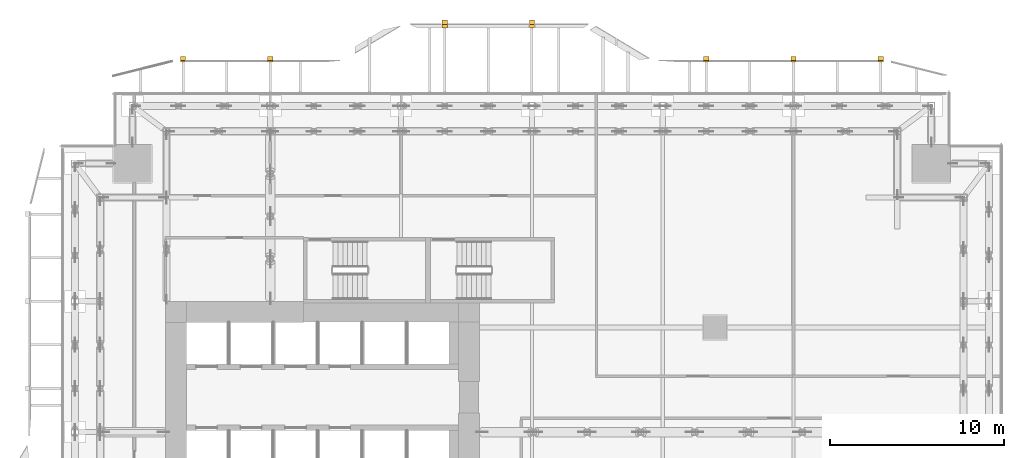
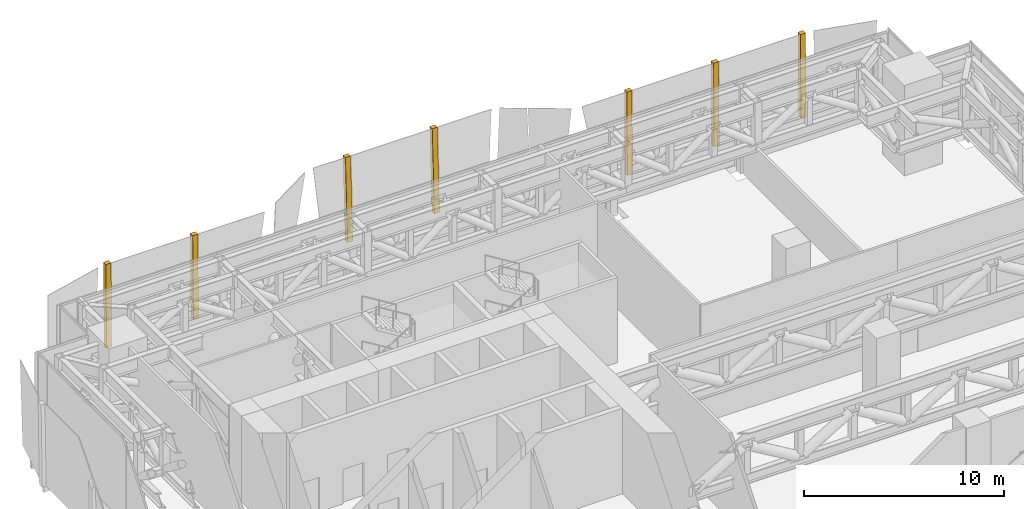
# One storey, part 39 of 39: 7 coverings.
"""IFC4 building model written with IfcOpenShell, lengths in metres."""

from ifc_helpers import new_model, si_unit, direction, frame, origin, place, context, subcontext, project, spatial, polyline, outline, extrude, material, layer, layer_set, type_object, element, save


model = new_model("IFC4")

# Units and contexts
model_context = context("Model", 3, precision=1e-05, world=origin(), true_north=direction((0.0, 1.0)))
body_context = subcontext(model_context, "Body", "Model", "MODEL_VIEW")
ifc_project = project(units=[si_unit("LENGTHUNIT", "METRE"), si_unit("AREAUNIT", "SQUARE_METRE"), si_unit("VOLUMEUNIT", "CUBIC_METRE"), si_unit("PLANEANGLEUNIT", "RADIAN"), si_unit("MASSUNIT", "GRAM", prefix="KILO")], contexts=[model_context])

# Site, building, storey
site_placement = place(None, origin())
site = spatial("IfcSite", under=ifc_project, at=site_placement, CompositionType="ELEMENT")
building_placement = place(site_placement, origin())
building = spatial("IfcBuilding", under=site, at=building_placement, Name="Khomas Fold Tower", CompositionType="ELEMENT")
storey_placement = place(building_placement, frame((0.0, 0.0, 96.0)))
storey = spatial("IfcBuildingStorey", under=building, at=storey_placement, Name="L20", CompositionType="ELEMENT", Elevation=96.0)

# Coverings
ifc_material = material(Name="Natural stone cladding", Category="masonry")
ifc_layer = layer(ifc_material, 0.25)
ifc_layer_set = layer_set([ifc_layer], Name="Natural stone cladding")
covering_type = type_object("IfcCoveringType", Name="SK-Karibib marble stone mullion", PredefinedType="CLADDING", material=ifc_layer_set)
for number, where, z_axis, x_axis, name in (
    (1, (6.85009765625, 55.727783203125, 0.0), (0.0, -0.999913554887, 0.013148488612), (0.0, 0.013148488612, 0.999913554887), "OUTER SKIN mullion L20 NM099-2"),
    (2, (11.85009765625, 55.727783203125, 0.0), (0.0, -0.999913554887, 0.013148488612), (0.0, 0.013148488612, 0.999913554887), "OUTER SKIN mullion L20 NM100-4"),
):
    element("IfcCovering", number, at=place(storey_placement, frame(where, z_axis=z_axis, x_axis=x_axis)), inside=storey, type_object=covering_type, Name=name, PredefinedType="CLADDING", context=body_context, shape_type="SweptSolid", body=[
        extrude(outline(polyline([(0.0, 0.0), (5.050485417906456, 0.0), (5.050485417906456, -0.2998046875), (0.0, -0.2998046875), (0.0, 0.0)])), origin(), (0.0, 0.0, -1.0), 0.25),
    ])
for number, where, z_axis, x_axis, name in (
    (3, (21.85009765625, 57.6591796875, 0.0), (0.0, -0.999042164286, 0.043757901902), (0.0, 0.043757901902, 0.999042164286), "OUTER SKIN mullion L20 NM102-8"),
    (4, (26.85009765625, 57.6591796875, 0.0), (0.0, -0.999042164286, 0.043757901902), (0.0, 0.043757901902, 0.999042164286), "OUTER SKIN mullion L20 NM103-10"),
):
    element("IfcCovering", number, at=place(storey_placement, frame(where, z_axis=z_axis, x_axis=x_axis)), inside=storey, type_object=covering_type, Name=name, PredefinedType="CLADDING", context=body_context, shape_type="SweptSolid", body=[
        extrude(outline(polyline([(0.0, 0.0), (5.054890582855927, 0.0), (5.054890582855927, -0.2998046875), (0.0, -0.2998046875), (0.0, 0.0)])), origin(), (0.0, 0.0, -1.0), 0.25),
    ])
for number, where, z_axis, x_axis, name in (
    (5, (36.85009765625, 55.727783203125, 0.0), (0.0, -0.999913554887, 0.013148488612), (0.0, 0.013148488612, 0.999913554887), "OUTER SKIN mullion L20 NM105-15"),
    (6, (41.85009765625, 55.727783203125, 0.0), (0.0, -0.999913554887, 0.013148488612), (0.0, 0.013148488612, 0.999913554887), "OUTER SKIN mullion L20 NM106-17"),
    (7, (46.85009765625, 55.727783203125, 0.0), (0.0, -0.999913554887, 0.013148488612), (0.0, 0.013148488612, 0.999913554887), "OUTER SKIN mullion L20 NM107-19"),
):
    element("IfcCovering", number, at=place(storey_placement, frame(where, z_axis=z_axis, x_axis=x_axis)), inside=storey, type_object=covering_type, Name=name, PredefinedType="CLADDING", context=body_context, shape_type="SweptSolid", body=[
        extrude(outline(polyline([(0.0, 0.0), (5.050485417906456, 0.0), (5.050485417906456, -0.2998046875), (0.0, -0.2998046875), (0.0, 0.0)])), origin(), (0.0, 0.0, -1.0), 0.25),
    ])

save(model, "model.ifc")
